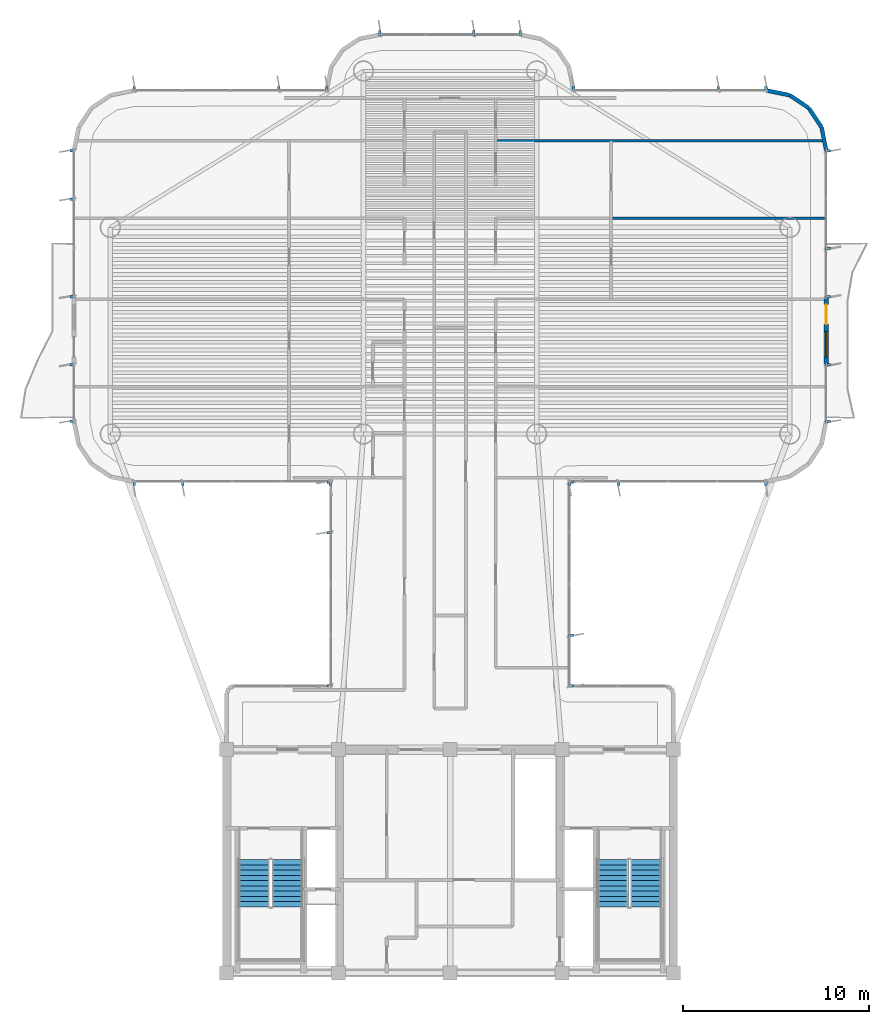
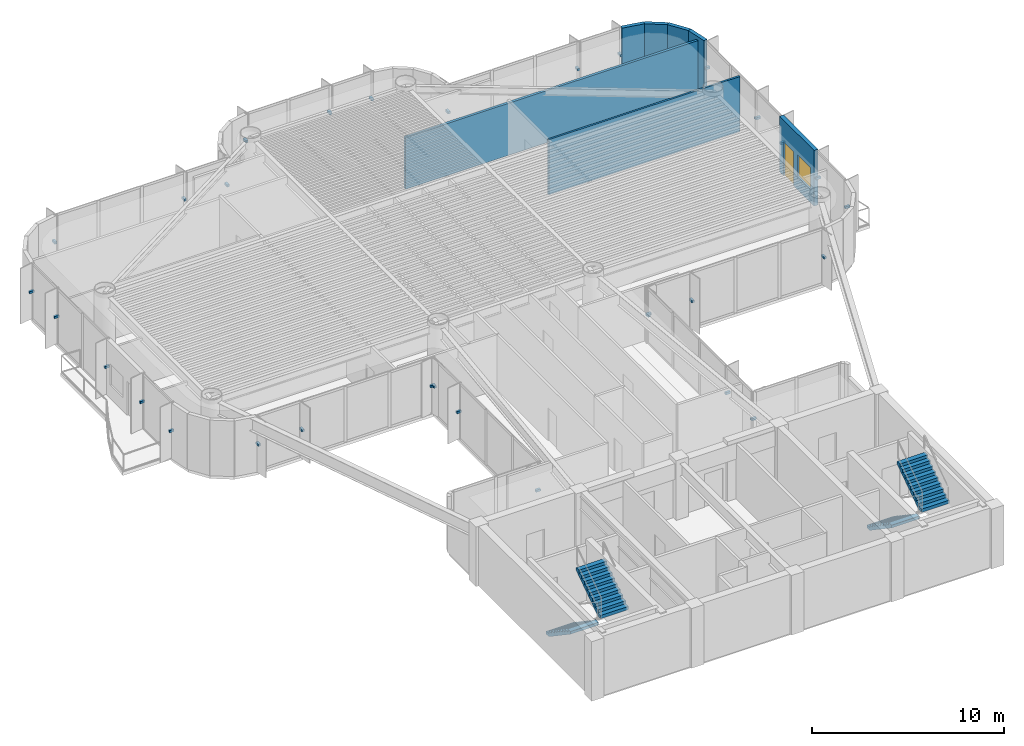
# One storey, part 12 of 14: 31 discrete accessories, 7 walls, 4 stair flights, 1 door, 1 window, 2 openings, 2 elements without a shape of their own.
"""IFC4 building model written with IfcOpenShell, lengths in metres."""

from ifc_helpers import new_model, si_unit, direction, frame, frame_2d, origin, origin_2d, place, context, subcontext, project, spatial, polyline, rectangle, outline, extrude, source, transform, mapped, material, layer, layer_set, type_object, element, fill, aggregate, save


model = new_model("IFC4")

# Units and contexts
model_context = context("Model", 3, precision=1e-05, world=origin(), true_north=direction((0.0, 1.0)))
body_context = subcontext(model_context, "Body", "Model", "MODEL_VIEW")
ifc_project = project(units=[si_unit("LENGTHUNIT", "METRE"), si_unit("AREAUNIT", "SQUARE_METRE"), si_unit("VOLUMEUNIT", "CUBIC_METRE"), si_unit("PLANEANGLEUNIT", "RADIAN"), si_unit("MASSUNIT", "GRAM", prefix="KILO")], contexts=[model_context])

# Site, building, storey
site_placement = place(None, origin())
site = spatial("IfcSite", under=ifc_project, at=site_placement, CompositionType="ELEMENT")
building_placement = place(site_placement, origin())
building = spatial("IfcBuilding", under=site, at=building_placement, Name="Brelvock Crest Care Tower", CompositionType="ELEMENT")
storey_placement = place(building_placement, frame((0.0, 0.0, 201.780029296875)))
storey = spatial("IfcBuildingStorey", under=building, at=storey_placement, Name="L51", CompositionType="ELEMENT", Elevation=201.780029296875)

# Wall, openings, door, window
ifc_material_1 = material(Name="Precast concrete N40 (40 MPa)", Category="concrete")
ifc_layer_1 = layer(ifc_material_1, 0.239990234375, Name="WL-EX1")
ifc_layer_set_1 = layer_set([ifc_layer_1], Name="Precast concrete N40 (40 MPa)")
wall_type_1 = type_object("IfcWallType", Name="WL-EX1", PredefinedType="SOLIDWALL", material=ifc_layer_set_1)
wall_1_placement = place(storey_placement, frame((56.199951171875, 42.300048828125, 0.0), z_axis=(0.0, 0.0, 1.0), x_axis=(0.0, -1.0, 0.0)))
wall_1 = element("IfcWall", 1, at=wall_1_placement, inside=storey, type_object=wall_type_1, Name="L51 Exterior Spandrel Wall WL-BAL-L51-E", PredefinedType="SOLIDWALL", context=body_context, shape_type="SweptSolid", body=[
    extrude(rectangle(XDim=3.60009765625, YDim=0.239990234375, at=frame_2d((1.800048828125, 0.0))), origin(), (0.0, 0.0, 1.0), 3.530029296875),
])
opening_1_placement = place(wall_1_placement, frame((0.39990234375, 0.0, 0.0)))
opening_1 = element("IfcOpeningElement", 2, at=opening_1_placement, cuts=wall_1, Name="Opening BD-1", PredefinedType="OPENING", context=body_context, shape_type="SweptSolid", body=[
    extrude(rectangle(XDim=1.050048828125, YDim=2.14990234375, at=origin_2d()), frame((0.52490234375, 0.1298828125, 1.074951171875), z_axis=(0.0, -1.0, 0.0), x_axis=(1.0, 0.0, 0.0)), (0.0, 0.0, 1.0), 0.260009765625),
])
opening_2_placement = place(wall_1_placement, frame((1.85009765625, 0.0, 0.85009765625)))
opening_2 = element("IfcOpeningElement", 3, at=opening_2_placement, cuts=wall_1, Name="Opening W-01", PredefinedType="OPENING", context=body_context, shape_type="SweptSolid", body=[
    extrude(rectangle(XDim=1.35009765625, YDim=1.35009765625, at=origin_2d()), frame((0.675048828125, 0.1298828125, 0.675048828125), z_axis=(0.0, -1.0, 0.0), x_axis=(1.0, 0.0, 0.0)), (0.0, 0.0, 1.0), 0.260009765625),
])
ifc_material_2 = material(Name="Dark Glass Double Glazed Low-E", Category="glass")
door_type = type_object("IfcDoorType", Name="DR-BAL1", OperationType="NOTDEFINED", PredefinedType="DOOR", material=ifc_material_2)
shared_shape_1 = source(origin(), body_context, "Body", "SweptSolid", [
    extrude(rectangle(XDim=1.050048828125, YDim=2.14990234375, at=origin_2d()), frame((0.52490234375, 0.02490234375, 1.074951171875), z_axis=(0.0, -1.0, 0.0), x_axis=(1.0, 0.0, 0.0)), (0.0, 0.0, 1.0), 0.050048828125),
])
door_placement = place(opening_1_placement, origin())
door = element("IfcDoor", 4, at=door_placement, inside=storey, type_object=door_type, Name="L51 E Wave Balcony Glazed Door", OperationType="SINGLE_SWING_RIGHT", OverallHeight=2.14990234375, OverallWidth=1.050048828125, PredefinedType="DOOR", context=body_context, shape_type="MappedRepresentation", body=[
    mapped(shared_shape_1, transform((0.0, 0.0, 0.0), x_axis=(1.0, 0.0, 0.0), y_axis=(0.0, 1.0, 0.0), z_axis=(0.0, 0.0, 1.0), scale=1.0)),
])
fill(opening_1, door)
window_type = type_object("IfcWindowType", Name="WN-EX1", PartitioningType="SINGLE_PANEL", PredefinedType="WINDOW", material=ifc_material_2)
shared_shape_2 = source(origin(), body_context, "Body", "SweptSolid", [
    extrude(rectangle(XDim=1.35009765625, YDim=1.35009765625, at=origin_2d()), frame((0.675048828125, 0.030029296875, 0.675048828125), z_axis=(0.0, -1.0, 0.0), x_axis=(1.0, 0.0, 0.0)), (0.0, 0.0, 1.0), 0.06005859375),
])
window_placement = place(opening_2_placement, origin())
window = element("IfcWindow", 5, at=window_placement, inside=storey, type_object=window_type, Name="L51 E Suite Casement Window", OverallHeight=1.35009765625, OverallWidth=1.35009765625, PartitioningType="SINGLE_PANEL", PredefinedType="WINDOW", context=body_context, shape_type="MappedRepresentation", body=[
    mapped(shared_shape_2, transform((0.0, 0.0, 0.0), x_axis=(1.0, 0.0, 0.0), y_axis=(0.0, 1.0, 0.0), z_axis=(0.0, 0.0, 1.0), scale=1.0)),
])
fill(opening_2, window)

# Walls
ifc_layer_2 = layer(ifc_material_1, 0.215087890625, Name="WL-EX2")
ifc_layer_set_2 = layer_set([ifc_layer_2], Name="Precast concrete N40 (40 MPa)")
wall_type_2 = type_object("IfcWallType", Name="WL-EX2", PredefinedType="SOLIDWALL", material=ifc_layer_set_2)
for number, where, z_axis, x_axis, name in (
    (6, (53.0, 53.39990234375, 0.0), (0.0, 0.0, 1.0), (0.980813122964, -0.194950295773, 0.0), "L51 Rounded Corner Wall 35"),
    (7, (54.224609375, 53.156494140625, 0.0), (0.0, 0.0, 1.0), (0.831387912822, -0.555692485475, 0.0), "L51 Rounded Corner Wall 36"),
    (8, (55.2626953125, 52.462646484375, 0.0), (0.0, 0.0, 1.0), (0.555557312883, -0.831478245117, 0.0), "L51 Rounded Corner Wall 37"),
    (9, (55.956298828125, 51.424560546875, 0.0), (0.0, 0.0, 1.0), (0.195138390419, -0.980775717779, 0.0), "L51 Rounded Corner Wall 38"),
):
    element("IfcWall", number, at=place(storey_placement, frame(where, z_axis=z_axis, x_axis=x_axis)), inside=storey, type_object=wall_type_2, Name=name, PredefinedType="SOLIDWALL", context=body_context, shape_type="SweptSolid", body=[
        extrude(rectangle(XDim=1.24853515625, YDim=0.215087890625, at=frame_2d((0.624267578125, 0.0))), origin(), (0.0, 0.0, 1.0), 3.530029296875),
    ])
ifc_material_3 = material(Name="Masonry Blockwork Acoustic Partition", Category="masonry")
ifc_layer_3 = layer(ifc_material_3, 0.14990234375, Name="WL-INT1")
ifc_layer_set_3 = layer_set([ifc_layer_3], Name="Masonry Blockwork Acoustic Partition")
wall_type_3 = type_object("IfcWallType", Name="WL-INT1", PredefinedType="PARTITIONING", material=ifc_layer_set_3)
wall_2_placement = place(storey_placement, frame((38.449951171875, 50.699951171875, 0.0), z_axis=(0.0, 0.0, 1.0), x_axis=(1.0, 0.0, 0.0)))
element("IfcWall", 10, at=wall_2_placement, inside=storey, type_object=wall_type_3, Name="L51 Interior Wall WL-BX-L51-NALE-S", PredefinedType="PARTITIONING", context=body_context, shape_type="SweptSolid", body=[
    extrude(rectangle(XDim=17.569091796875, YDim=0.14990234375, at=frame_2d((8.78466796875, 0.0))), origin(), (0.0, 0.0, 1.0), 3.307861328125),
])
ifc_material_4 = material(Name="Gypsum Plasterboard Partition", Category="gypsum")
ifc_layer_4 = layer(ifc_material_4, 0.1201171875, Name="WL-INT2")
ifc_layer_set_4 = layer_set([ifc_layer_4], Name="Gypsum Plasterboard Partition")
wall_type_4 = type_object("IfcWallType", Name="WL-INT2", PredefinedType="PARTITIONING", material=ifc_layer_set_4)
wall_3_placement = place(storey_placement, frame((44.64990234375, 46.537109375, 0.0), z_axis=(0.0, 0.0, 1.0), x_axis=(1.0, 0.0, 0.0)))
element("IfcWall", 11, at=wall_3_placement, inside=storey, type_object=wall_type_4, Name="L51 Interior Wall WL-BX-L51-ES3S-N", PredefinedType="PARTITIONING", context=body_context, shape_type="SweptSolid", body=[
    extrude(rectangle(XDim=11.47021484375, YDim=0.1201171875, at=frame_2d((5.735107421875, 0.0))), origin(), (0.0, 0.0, 1.0), 3.5),
])

# Stair, stair flights
ifc_material_5 = material(Name="Concrete N40 (40 MPa)", Category="concrete")
stair_type = type_object("IfcStairType", Name="ST-CORE1", PredefinedType="HALF_TURN_STAIR", material=ifc_material_5)
stair_1_placement = place(storey_placement, origin())
stair_1 = element("IfcStair", 12, at=stair_1_placement, inside=storey, type_object=stair_type, Name="L51 Fire-Isolated Core Stair ST-1", PredefinedType="HALF_TURN_STAIR")
stair_flight_type = type_object("IfcStairFlightType", Name="STF-1", PredefinedType="STRAIGHT", material=ifc_material_5)
stair_flight_1_placement = place(storey_placement, frame((25.469970703125, 12.080078125, 0.0), z_axis=(0.0, 0.0, 1.0), x_axis=(0.0, -1.0, 0.0)))
stair_flight_1 = element("IfcStairFlight", 13, at=stair_flight_1_placement, type_object=stair_flight_type, Name="ST-1 flight 1", NumberOfRisers=10, NumberOfTreads=9, PredefinedType="STRAIGHT", RiserHeight=0.189, TreadLength=0.28, context=body_context, shape_type="SweptSolid", body=[
    extrude(outline(polyline([(-0.00390625, -0.014892578125), (-0.00390625, -0.0078125), (-0.00390625, -0.00048828125), (-0.00390625, 0.0068359375), (-0.00390625, 0.01416015625), (-0.00390625, 0.021484375), (-0.00390625, 0.02880859375), (-0.00390625, 0.035888671875), (-0.00390625, 0.043212890625), (-0.00390625, 0.050537109375), (-0.00390625, 0.057861328125), (-0.00390625, 0.065185546875), (-0.00390625, 0.072509765625), (-0.00390625, 0.07958984375), (-0.00390625, 0.0869140625), (-0.00390625, 0.09423828125), (-0.00390625, 0.1015625), (-0.00390625, 0.10888671875), (-0.00390625, 0.1162109375), (-0.00390625, 0.12353515625), (-0.00390625, 0.130615234375), (-0.00390625, 0.137939453125), (-0.00390625, 0.145263671875), (-0.00390625, 0.152587890625), (-0.00390625, 0.159912109375), (-0.00390625, 0.167236328125), (-0.00390625, 0.17431640625), (-0.00390625, 0.181640625), (-0.00390625, 0.18896484375), (0.0, 0.18896484375), (0.280029296875, 0.18896484375), (0.280029296875, 0.3779296875), (0.56005859375, 0.3779296875), (0.56005859375, 0.56689453125), (0.840087890625, 0.56689453125), (0.840087890625, 0.756103515625), (1.1201171875, 0.756103515625), (1.1201171875, 0.945068359375), (1.39990234375, 0.945068359375), (1.39990234375, 1.134033203125), (1.679931640625, 1.134033203125), (1.679931640625, 1.322998046875), (1.9599609375, 1.322998046875), (1.9599609375, 1.511962890625), (2.239990234375, 1.511962890625), (2.239990234375, 1.700927734375), (2.52001953125, 1.700927734375), (2.52392578125, 1.700927734375), (2.523681640625, 1.70068359375), (2.52392578125, 1.700439453125), (2.523681640625, 1.699951171875), (2.52392578125, 1.69970703125), (2.523681640625, 1.699462890625), (2.52392578125, 1.698974609375), (2.523681640625, 1.69873046875), (2.52392578125, 1.698486328125), (2.523681640625, 1.697998046875), (2.52392578125, 1.69775390625), (2.523681640625, 1.697509765625), (2.52392578125, 1.697021484375), (2.523681640625, 1.69677734375), (2.52392578125, 1.696533203125), (2.523681640625, 1.6962890625), (2.52392578125, 1.69580078125), (2.523681640625, 1.695556640625), (2.52392578125, 1.6953125), (2.523681640625, 1.69482421875), (2.52392578125, 1.694580078125), (2.523681640625, 1.6943359375), (2.52392578125, 1.69384765625), (2.523681640625, 1.693603515625), (2.52392578125, 1.693359375), (2.523681640625, 1.69287109375), (2.52392578125, 1.692626953125), (2.523681640625, 1.6923828125), (2.52392578125, 1.69189453125), (2.52001953125, 1.520263671875), (0.267822265625, 0.0), (0.0, 0.0), (0.0, -0.014892578125), (-0.00390625, -0.014892578125)])), frame((0.0, 0.83984375, 0.0), z_axis=(0.0, -1.0, 0.0), x_axis=(1.0, 0.0, 0.0)), (0.0, 0.0, 1.0), 1.679931640625),
])
stair_flight_2_placement = place(storey_placement, frame((27.27001953125, 9.56005859375, 1.889892578125), z_axis=(0.0, 0.0, 1.0), x_axis=(0.0, 1.0, 0.0)))
stair_flight_2 = element("IfcStairFlight", 14, at=stair_flight_2_placement, type_object=stair_flight_type, Name="ST-1 flight 2", NumberOfRisers=10, NumberOfTreads=9, PredefinedType="STRAIGHT", RiserHeight=0.189, TreadLength=0.28, context=body_context, shape_type="SweptSolid", body=[
    extrude(outline(polyline([(-0.00390625, -0.014892578125), (-0.00390625, -0.0078125), (-0.00390625, -0.00048828125), (-0.00390625, 0.0068359375), (-0.00390625, 0.01416015625), (-0.00390625, 0.021484375), (-0.00390625, 0.02880859375), (-0.00390625, 0.035888671875), (-0.00390625, 0.043212890625), (-0.00390625, 0.050537109375), (-0.00390625, 0.057861328125), (-0.00390625, 0.065185546875), (-0.00390625, 0.072509765625), (-0.00390625, 0.07958984375), (-0.00390625, 0.0869140625), (-0.00390625, 0.09423828125), (-0.00390625, 0.1015625), (-0.00390625, 0.10888671875), (-0.00390625, 0.1162109375), (-0.00390625, 0.12353515625), (-0.00390625, 0.130615234375), (-0.00390625, 0.137939453125), (-0.00390625, 0.145263671875), (-0.00390625, 0.152587890625), (-0.00390625, 0.159912109375), (-0.00390625, 0.167236328125), (-0.00390625, 0.17431640625), (-0.00390625, 0.181640625), (-0.00390625, 0.18896484375), (0.0, 0.18896484375), (0.280029296875, 0.18896484375), (0.280029296875, 0.3779296875), (0.56005859375, 0.3779296875), (0.56005859375, 0.56689453125), (0.840087890625, 0.56689453125), (0.840087890625, 0.756103515625), (1.1201171875, 0.756103515625), (1.1201171875, 0.945068359375), (1.39990234375, 0.945068359375), (1.39990234375, 1.134033203125), (1.679931640625, 1.134033203125), (1.679931640625, 1.322998046875), (1.9599609375, 1.322998046875), (1.9599609375, 1.511962890625), (2.239990234375, 1.511962890625), (2.239990234375, 1.700927734375), (2.52001953125, 1.700927734375), (2.52392578125, 1.700927734375), (2.523681640625, 1.70068359375), (2.52392578125, 1.700439453125), (2.523681640625, 1.699951171875), (2.52392578125, 1.69970703125), (2.523681640625, 1.699462890625), (2.52392578125, 1.698974609375), (2.523681640625, 1.69873046875), (2.52392578125, 1.698486328125), (2.523681640625, 1.697998046875), (2.52392578125, 1.69775390625), (2.523681640625, 1.697509765625), (2.52392578125, 1.697021484375), (2.523681640625, 1.69677734375), (2.52392578125, 1.696533203125), (2.523681640625, 1.6962890625), (2.52392578125, 1.69580078125), (2.523681640625, 1.695556640625), (2.52392578125, 1.6953125), (2.523681640625, 1.69482421875), (2.52392578125, 1.694580078125), (2.523681640625, 1.6943359375), (2.52392578125, 1.69384765625), (2.523681640625, 1.693603515625), (2.52392578125, 1.693359375), (2.523681640625, 1.69287109375), (2.52392578125, 1.692626953125), (2.523681640625, 1.6923828125), (2.52392578125, 1.69189453125), (2.52001953125, 1.520263671875), (0.267822265625, 0.0), (0.0, 0.0), (0.0, -0.014892578125), (-0.00390625, -0.014892578125)])), frame((0.0, 0.83984375, 0.0), z_axis=(0.0, -1.0, 0.0), x_axis=(1.0, 0.0, 0.0)), (0.0, 0.0, 1.0), 1.679931640625),
])
aggregate(stair_1, [stair_flight_1, stair_flight_2])

stair_2_placement = place(storey_placement, origin())
stair_2 = element("IfcStair", 15, at=stair_2_placement, inside=storey, type_object=stair_type, Name="L51 Fire-Isolated Core Stair ST-2", PredefinedType="HALF_TURN_STAIR")
stair_flight_3_placement = place(storey_placement, frame((44.72998046875, 12.080078125, 0.0), z_axis=(0.0, 0.0, 1.0), x_axis=(0.0, -1.0, 0.0)))
stair_flight_3 = element("IfcStairFlight", 16, at=stair_flight_3_placement, type_object=stair_flight_type, Name="ST-2 flight 1", NumberOfRisers=10, NumberOfTreads=9, PredefinedType="STRAIGHT", RiserHeight=0.189, TreadLength=0.28, context=body_context, shape_type="SweptSolid", body=[
    extrude(outline(polyline([(-0.00390625, -0.014892578125), (-0.00390625, -0.0078125), (-0.00390625, -0.00048828125), (-0.00390625, 0.0068359375), (-0.00390625, 0.01416015625), (-0.00390625, 0.021484375), (-0.00390625, 0.02880859375), (-0.00390625, 0.035888671875), (-0.00390625, 0.043212890625), (-0.00390625, 0.050537109375), (-0.00390625, 0.057861328125), (-0.00390625, 0.065185546875), (-0.00390625, 0.072509765625), (-0.00390625, 0.07958984375), (-0.00390625, 0.0869140625), (-0.00390625, 0.09423828125), (-0.00390625, 0.1015625), (-0.00390625, 0.10888671875), (-0.00390625, 0.1162109375), (-0.00390625, 0.12353515625), (-0.00390625, 0.130615234375), (-0.00390625, 0.137939453125), (-0.00390625, 0.145263671875), (-0.00390625, 0.152587890625), (-0.00390625, 0.159912109375), (-0.00390625, 0.167236328125), (-0.00390625, 0.17431640625), (-0.00390625, 0.181640625), (-0.00390625, 0.18896484375), (0.0, 0.18896484375), (0.280029296875, 0.18896484375), (0.280029296875, 0.3779296875), (0.56005859375, 0.3779296875), (0.56005859375, 0.56689453125), (0.840087890625, 0.56689453125), (0.840087890625, 0.756103515625), (1.1201171875, 0.756103515625), (1.1201171875, 0.945068359375), (1.39990234375, 0.945068359375), (1.39990234375, 1.134033203125), (1.679931640625, 1.134033203125), (1.679931640625, 1.322998046875), (1.9599609375, 1.322998046875), (1.9599609375, 1.511962890625), (2.239990234375, 1.511962890625), (2.239990234375, 1.700927734375), (2.52001953125, 1.700927734375), (2.52392578125, 1.700927734375), (2.523681640625, 1.70068359375), (2.52392578125, 1.700439453125), (2.523681640625, 1.699951171875), (2.52392578125, 1.69970703125), (2.523681640625, 1.699462890625), (2.52392578125, 1.698974609375), (2.523681640625, 1.69873046875), (2.52392578125, 1.698486328125), (2.523681640625, 1.697998046875), (2.52392578125, 1.69775390625), (2.523681640625, 1.697509765625), (2.52392578125, 1.697021484375), (2.523681640625, 1.69677734375), (2.52392578125, 1.696533203125), (2.523681640625, 1.6962890625), (2.52392578125, 1.69580078125), (2.523681640625, 1.695556640625), (2.52392578125, 1.6953125), (2.523681640625, 1.69482421875), (2.52392578125, 1.694580078125), (2.523681640625, 1.6943359375), (2.52392578125, 1.69384765625), (2.523681640625, 1.693603515625), (2.52392578125, 1.693359375), (2.523681640625, 1.69287109375), (2.52392578125, 1.692626953125), (2.523681640625, 1.6923828125), (2.52392578125, 1.69189453125), (2.52001953125, 1.520263671875), (0.267822265625, 0.0), (0.0, 0.0), (0.0, -0.014892578125), (-0.00390625, -0.014892578125)])), frame((0.0, 0.83984375, 0.0), z_axis=(0.0, -1.0, 0.0), x_axis=(1.0, 0.0, 0.0)), (0.0, 0.0, 1.0), 1.679931640625),
])
stair_flight_4_placement = place(storey_placement, frame((46.530029296875, 9.56005859375, 1.889892578125), z_axis=(0.0, 0.0, 1.0), x_axis=(0.0, 1.0, 0.0)))
stair_flight_4 = element("IfcStairFlight", 17, at=stair_flight_4_placement, type_object=stair_flight_type, Name="ST-2 flight 2", NumberOfRisers=10, NumberOfTreads=9, PredefinedType="STRAIGHT", RiserHeight=0.189, TreadLength=0.28, context=body_context, shape_type="SweptSolid", body=[
    extrude(outline(polyline([(-0.00390625, -0.014892578125), (-0.00390625, -0.0078125), (-0.00390625, -0.00048828125), (-0.00390625, 0.0068359375), (-0.00390625, 0.01416015625), (-0.00390625, 0.021484375), (-0.00390625, 0.02880859375), (-0.00390625, 0.035888671875), (-0.00390625, 0.043212890625), (-0.00390625, 0.050537109375), (-0.00390625, 0.057861328125), (-0.00390625, 0.065185546875), (-0.00390625, 0.072509765625), (-0.00390625, 0.07958984375), (-0.00390625, 0.0869140625), (-0.00390625, 0.09423828125), (-0.00390625, 0.1015625), (-0.00390625, 0.10888671875), (-0.00390625, 0.1162109375), (-0.00390625, 0.12353515625), (-0.00390625, 0.130615234375), (-0.00390625, 0.137939453125), (-0.00390625, 0.145263671875), (-0.00390625, 0.152587890625), (-0.00390625, 0.159912109375), (-0.00390625, 0.167236328125), (-0.00390625, 0.17431640625), (-0.00390625, 0.181640625), (-0.00390625, 0.18896484375), (0.0, 0.18896484375), (0.280029296875, 0.18896484375), (0.280029296875, 0.3779296875), (0.56005859375, 0.3779296875), (0.56005859375, 0.56689453125), (0.840087890625, 0.56689453125), (0.840087890625, 0.756103515625), (1.1201171875, 0.756103515625), (1.1201171875, 0.945068359375), (1.39990234375, 0.945068359375), (1.39990234375, 1.134033203125), (1.679931640625, 1.134033203125), (1.679931640625, 1.322998046875), (1.9599609375, 1.322998046875), (1.9599609375, 1.511962890625), (2.239990234375, 1.511962890625), (2.239990234375, 1.700927734375), (2.52001953125, 1.700927734375), (2.52392578125, 1.700927734375), (2.523681640625, 1.70068359375), (2.52392578125, 1.700439453125), (2.523681640625, 1.699951171875), (2.52392578125, 1.69970703125), (2.523681640625, 1.699462890625), (2.52392578125, 1.698974609375), (2.523681640625, 1.69873046875), (2.52392578125, 1.698486328125), (2.523681640625, 1.697998046875), (2.52392578125, 1.69775390625), (2.523681640625, 1.697509765625), (2.52392578125, 1.697021484375), (2.523681640625, 1.69677734375), (2.52392578125, 1.696533203125), (2.523681640625, 1.6962890625), (2.52392578125, 1.69580078125), (2.523681640625, 1.695556640625), (2.52392578125, 1.6953125), (2.523681640625, 1.69482421875), (2.52392578125, 1.694580078125), (2.523681640625, 1.6943359375), (2.52392578125, 1.69384765625), (2.523681640625, 1.693603515625), (2.52392578125, 1.693359375), (2.523681640625, 1.69287109375), (2.52392578125, 1.692626953125), (2.523681640625, 1.6923828125), (2.52392578125, 1.69189453125), (2.52001953125, 1.520263671875), (0.267822265625, 0.0), (0.0, 0.0), (0.0, -0.014892578125), (-0.00390625, -0.014892578125)])), frame((0.0, 0.83984375, 0.0), z_axis=(0.0, -1.0, 0.0), x_axis=(1.0, 0.0, 0.0)), (0.0, 0.0, 1.0), 1.679931640625),
])
aggregate(stair_2, [stair_flight_3, stair_flight_4])

# Discrete accessories
ifc_material_6 = material(Name="Steel Grade 350", Category="steel")
discrete_accessory_type = type_object("IfcDiscreteAccessoryType", Name="ACC-BRK1", PredefinedType="BRACKET", material=ifc_material_6)
shared_shape_3 = source(origin(), body_context, "Body", "SweptSolid", [
    extrude(rectangle(XDim=0.280029296875, YDim=0.139892578125, at=origin_2d()), origin(), (0.0, 0.0, 1.0), 0.139892578125),
])
for number, where, z_axis, x_axis, name in (
    (18, (29.52001953125, 21.429931640625, 1.69482421875), (0.0, 0.0, 1.0), (-1.0, 0.0, 0.0), "L51 Facade Fin Bracket E11-01"),
    (19, (29.52001953125, 29.64990234375, 1.69482421875), (0.0, 0.0, 1.0), (-1.0, 0.0, 0.0), "L51 Facade Fin Bracket E11-04"),
    (20, (29.52001953125, 32.3701171875, 1.69482421875), (0.0, 0.0, 1.0), (-1.0, 0.0, 0.0), "L51 Facade Fin Bracket E11-05"),
    (21, (29.570068359375, 32.320068359375, 1.69482421875), (0.0, 0.0, 1.0), (0.0, -1.0, 0.0), "L51 Facade Fin Bracket E12-01"),
    (22, (21.64990234375, 32.320068359375, 1.69482421875), (0.0, 0.0, 1.0), (0.0, -1.0, 0.0), "L51 Facade Fin Bracket E12-04"),
    (23, (19.030029296875, 32.320068359375, 1.69482421875), (0.0, 0.0, 1.0), (0.0, -1.0, 0.0), "L51 Facade Fin Bracket E12-05"),
    (24, (15.719970703125, 35.6298828125, 1.69482421875), (0.0, 0.0, 1.0), (-1.0, 0.0, 0.0), "L51 Facade Fin Bracket E17A-01"),
    (25, (15.719970703125, 38.669921875, 1.69482421875), (0.0, 0.0, 1.0), (-1.0, 0.0, 0.0), "L51 Facade Fin Bracket E17A-02"),
    (26, (15.719970703125, 42.330078125, 1.69482421875), (0.0, 0.0, 1.0), (-1.0, 0.0, 0.0), "L51 Facade Fin Bracket E17B-01"),
    (27, (15.719970703125, 47.566650390625, 1.69482421875), (0.0, 0.0, 1.0), (-1.0, 0.0, 0.0), "L51 Facade Fin Bracket E17B-03"),
    (28, (15.719970703125, 50.169921875, 1.69482421875), (0.0, 0.0, 1.0), (-1.0, 0.0, 0.0), "L51 Facade Fin Bracket E17B-04"),
    (29, (19.030029296875, 53.47998046875, 1.69482421875), (0.0, 0.0, 1.0), (0.0, 1.0, 0.0), "L51 Facade Fin Bracket E22-01"),
    (30, (26.800048828125, 53.47998046875, 1.69482421875), (0.0, 0.0, 1.0), (0.0, 1.0, 0.0), "L51 Facade Fin Bracket E22-04"),
    (31, (29.3701171875, 53.47998046875, 1.69482421875), (0.0, 0.0, 1.0), (0.0, 1.0, 0.0), "L51 Facade Fin Bracket E22-05"),
    (32, (32.22998046875, 56.47998046875, 1.69482421875), (0.0, 0.0, 1.0), (0.0, 1.0, 0.0), "L51 Facade Fin Bracket E28-01"),
    (33, (37.2666015625, 56.47998046875, 1.69482421875), (0.0, 0.0, 1.0), (0.0, 1.0, 0.0), "L51 Facade Fin Bracket E28-03"),
    (34, (39.77001953125, 56.47998046875, 1.69482421875), (0.0, 0.0, 1.0), (0.0, 1.0, 0.0), "L51 Facade Fin Bracket E28-04"),
    (35, (42.6298828125, 53.47998046875, 1.69482421875), (0.0, 0.0, 1.0), (0.0, 1.0, 0.0), "L51 Facade Fin Bracket E34-01"),
    (36, (50.39990234375, 53.47998046875, 1.69482421875), (0.0, 0.0, 1.0), (0.0, 1.0, 0.0), "L51 Facade Fin Bracket E34-04"),
    (37, (52.969970703125, 53.47998046875, 1.69482421875), (0.0, 0.0, 1.0), (0.0, 1.0, 0.0), "L51 Facade Fin Bracket E34-05"),
    (38, (56.280029296875, 50.169921875, 1.69482421875), (0.0, 0.0, 1.0), (1.0, 0.0, 0.0), "L51 Facade Fin Bracket E39A-01"),
    (39, (56.280029296875, 44.933349609375, 1.69482421875), (0.0, 0.0, 1.0), (1.0, 0.0, 0.0), "L51 Facade Fin Bracket E39A-03"),
    (40, (56.280029296875, 42.330078125, 1.69482421875), (0.0, 0.0, 1.0), (1.0, 0.0, 0.0), "L51 Facade Fin Bracket E39A-04"),
    (41, (56.280029296875, 38.669921875, 1.69482421875), (0.0, 0.0, 1.0), (1.0, 0.0, 0.0), "L51 Facade Fin Bracket E39B-01"),
    (42, (56.280029296875, 35.6298828125, 1.69482421875), (0.0, 0.0, 1.0), (1.0, 0.0, 0.0), "L51 Facade Fin Bracket E39B-02"),
    (43, (52.969970703125, 32.320068359375, 1.69482421875), (0.0, 0.0, 1.0), (0.0, -1.0, 0.0), "L51 Facade Fin Bracket E44-01"),
    (44, (45.050048828125, 32.320068359375, 1.69482421875), (0.0, 0.0, 1.0), (0.0, -1.0, 0.0), "L51 Facade Fin Bracket E44-04"),
    (45, (42.429931640625, 32.320068359375, 1.69482421875), (0.0, 0.0, 1.0), (0.0, -1.0, 0.0), "L51 Facade Fin Bracket E44-05"),
    (46, (42.47998046875, 32.3701171875, 1.69482421875), (0.0, 0.0, 1.0), (1.0, 0.0, 0.0), "L51 Facade Fin Bracket E45-01"),
    (47, (42.47998046875, 24.14990234375, 1.69482421875), (0.0, 0.0, 1.0), (1.0, 0.0, 0.0), "L51 Facade Fin Bracket E45-04"),
    (48, (42.47998046875, 21.429931640625, 1.69482421875), (0.0, 0.0, 1.0), (1.0, 0.0, 0.0), "L51 Facade Fin Bracket E45-05"),
):
    element("IfcDiscreteAccessory", number, at=place(storey_placement, frame(where, z_axis=z_axis, x_axis=x_axis)), inside=storey, type_object=discrete_accessory_type, Name=name, PredefinedType="BRACKET", context=body_context, shape_type="MappedRepresentation", body=[
        mapped(shared_shape_3, transform((0.0, 0.0, 0.0), x_axis=(1.0, 0.0, 0.0), y_axis=(0.0, 1.0, 0.0), z_axis=(0.0, 0.0, 1.0), scale=1.0)),
    ])

save(model, "model.ifc")
